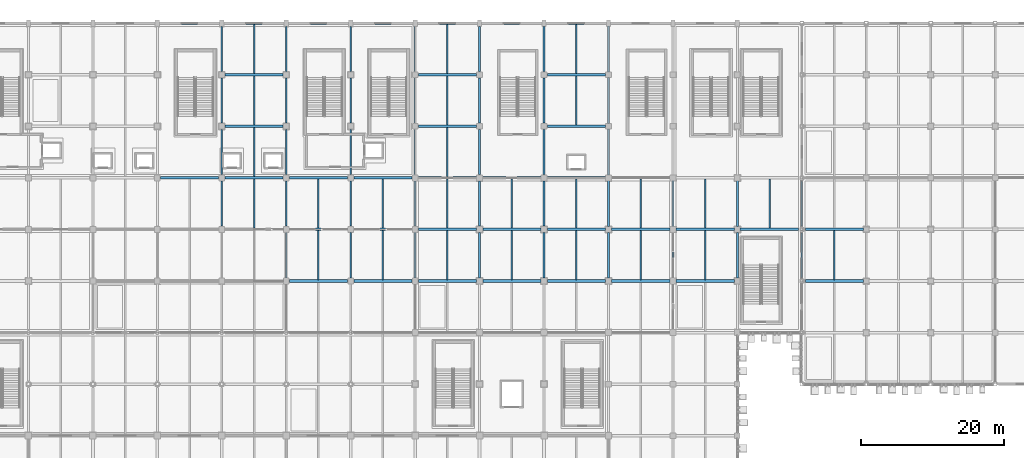
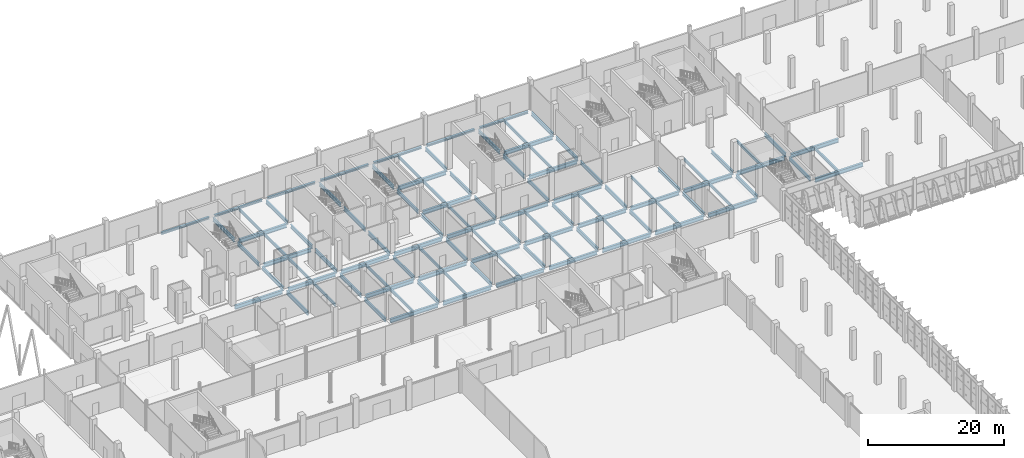
# One storey, part 69 of 137: 102 beams.
"""IFC4 building model written with IfcOpenShell, lengths in metres."""

from ifc_helpers import new_model, si_unit, direction, frame, origin, origin_2d, place, context, subcontext, project, spatial, i_section, extrude, material, material_profile, profile_set, type_object, element, save


model = new_model("IFC4")

# Units and contexts
model_context = context("Model", 3, precision=1e-05, world=origin(), true_north=direction((0.0, 1.0)))
body_context = subcontext(model_context, "Body", "Model", "MODEL_VIEW")
ifc_project = project(units=[si_unit("LENGTHUNIT", "METRE"), si_unit("AREAUNIT", "SQUARE_METRE"), si_unit("VOLUMEUNIT", "CUBIC_METRE"), si_unit("PLANEANGLEUNIT", "RADIAN"), si_unit("MASSUNIT", "GRAM", prefix="KILO")], contexts=[model_context])

# Site, building, storey
site_placement = place(None, origin())
site = spatial("IfcSite", under=ifc_project, at=site_placement, CompositionType="ELEMENT")
building_placement = place(site_placement, origin())
building = spatial("IfcBuilding", under=site, at=building_placement, Name="Celestram Park Convention Centre", CompositionType="ELEMENT")
storey_placement = place(building_placement, origin())
storey = spatial("IfcBuildingStorey", under=building, at=storey_placement, Name="L00", CompositionType="ELEMENT", Elevation=0.0)

# Beams
ifc_material = material(Name="Steel ASTM A992 Grade 50", Category="steel")
ifc_material_profile_1 = material_profile(ifc_material, i_section(OverallWidth=0.35595703125, OverallDepth=0.696044921875, WebThickness=0.015380859375, FlangeThickness=0.02490234375, at=origin_2d()), Name="W27X146")
ifc_profile_set_1 = profile_set([ifc_material_profile_1], Name="Steel ASTM A992 Grade 50")
beam_type_1 = type_object("IfcBeamType", Name="STR-BM-W27X146", PredefinedType="BEAM", material=ifc_profile_set_1)
for number, where, z_axis, x_axis, name in (
    (1, (63.447998046875, 144.0, -0.66796875), (1.0, 0.0, 0.0), (0.0, 1.0, 0.0), "Primary X-girder BG-L00-0309"),
    (2, (72.447998046875, 144.0, -0.66796875), (1.0, 0.0, 0.0), (0.0, 1.0, 0.0), "Primary X-girder BG-L00-0354"),
    (3, (72.447998046875, 151.199951171875, -0.66796875), (1.0, 0.0, 0.0), (0.0, 1.0, 0.0), "Primary X-girder BG-L00-0356"),
    (4, (72.447998046875, 158.39990234375, -0.66796875), (1.0, 0.0, 0.0), (0.0, 1.0, 0.0), "Primary X-girder BG-L00-0358"),
    (5, (81.447998046875, 129.60009765625, -0.66796875), (1.0, 0.0, 0.0), (0.0, 1.0, 0.0), "Primary X-girder BG-L00-0397"),
    (6, (81.447998046875, 136.800048828125, -0.66796875), (1.0, 0.0, 0.0), (0.0, 1.0, 0.0), "Primary X-girder BG-L00-0399"),
    (7, (81.447998046875, 144.0, -0.66796875), (1.0, 0.0, 0.0), (0.0, 1.0, 0.0), "Primary X-girder BG-L00-0401"),
    (8, (90.447998046875, 129.60009765625, -0.66796875), (1.0, 0.0, 0.0), (0.0, 1.0, 0.0), "Primary X-girder BG-L00-0442"),
    (9, (90.447998046875, 136.800048828125, -0.66796875), (1.0, 0.0, 0.0), (0.0, 1.0, 0.0), "Primary X-girder BG-L00-0444"),
    (10, (90.447998046875, 144.0, -0.66796875), (1.0, 0.0, 0.0), (0.0, 1.0, 0.0), "Primary X-girder BG-L00-0446"),
    (11, (99.447998046875, 129.60009765625, -0.66796875), (1.0, 0.0, 0.0), (0.0, 1.0, 0.0), "Primary X-girder BG-L00-0486"),
    (12, (99.447998046875, 136.800048828125, -0.66796875), (1.0, 0.0, 0.0), (0.0, 1.0, 0.0), "Primary X-girder BG-L00-0488"),
    (13, (99.447998046875, 144.0, -0.66796875), (1.0, 0.0, 0.0), (0.0, 1.0, 0.0), "Primary X-girder BG-L00-0490"),
    (14, (99.447998046875, 151.199951171875, -0.66796875), (1.0, 0.0, 0.0), (0.0, 1.0, 0.0), "Primary X-girder BG-L00-0492"),
    (15, (99.447998046875, 158.39990234375, -0.66796875), (1.0, 0.0, 0.0), (0.0, 1.0, 0.0), "Primary X-girder BG-L00-0494"),
    (16, (108.447998046875, 129.60009765625, -0.66796875), (1.0, 0.0, 0.0), (0.0, 1.0, 0.0), "Primary X-girder BG-L00-0531"),
    (17, (108.447998046875, 136.800048828125, -0.66796875), (1.0, 0.0, 0.0), (0.0, 1.0, 0.0), "Primary X-girder BG-L00-0533"),
    (18, (108.447998046875, 144.0, -0.66796875), (1.0, 0.0, 0.0), (0.0, 1.0, 0.0), "Primary X-girder BG-L00-0535"),
):
    element("IfcBeam", number, at=place(storey_placement, frame(where, z_axis=z_axis, x_axis=x_axis)), inside=storey, type_object=beam_type_1, Name=name, PredefinedType="BEAM", context=body_context, shape_type="SweptSolid", body=[
        extrude(i_section(OverallWidth=0.35595703125, OverallDepth=0.696044921875, WebThickness=0.015380859375, FlangeThickness=0.02490234375, at=origin_2d()), origin(), (0.0, 0.0, 1.0), 8.10400390625),
    ])
for number, where, z_axis, x_axis, name in (
    (19, (117.447998046875, 129.60009765625, -0.66796875), (1.0, 0.0, 0.0), (0.0, 1.0, 0.0), "Primary X-girder BG-L00-0572"),
    (20, (117.447998046875, 136.800048828125, -0.66796875), (1.0, 0.0, 0.0), (0.0, 1.0, 0.0), "Primary X-girder BG-L00-0574"),
    (21, (117.447998046875, 144.0, -0.66796875), (1.0, 0.0, 0.0), (0.0, 1.0, 0.0), "Primary X-girder BG-L00-0576"),
    (22, (117.447998046875, 151.199951171875, -0.66796875), (1.0, 0.0, 0.0), (0.0, 1.0, 0.0), "Primary X-girder BG-L00-0578"),
    (23, (117.447998046875, 158.39990234375, -0.66796875), (1.0, 0.0, 0.0), (0.0, 1.0, 0.0), "Primary X-girder BG-L00-0580"),
):
    element("IfcBeam", number, at=place(storey_placement, frame(where, z_axis=z_axis, x_axis=x_axis)), inside=storey, type_object=beam_type_1, Name=name, PredefinedType="BEAM", context=body_context, shape_type="SweptSolid", body=[
        extrude(i_section(OverallWidth=0.35595703125, OverallDepth=0.696044921875, WebThickness=0.015380859375, FlangeThickness=0.02490234375, at=origin_2d()), origin(), (0.0, 0.0, 1.0), 8.154052734375),
    ])
for number, where, z_axis, x_axis, name in (
    (24, (126.39794921875, 129.60009765625, -0.66796875), (1.0, 0.0, 0.0), (0.0, 1.0, 0.0), "Primary X-girder BG-L00-0612"),
    (25, (126.39794921875, 136.800048828125, -0.66796875), (1.0, 0.0, 0.0), (0.0, 1.0, 0.0), "Primary X-girder BG-L00-0614"),
    (26, (135.39794921875, 129.60009765625, -0.66796875), (1.0, 0.0, 0.0), (0.0, 1.0, 0.0), "Primary X-girder BG-L00-0651"),
    (27, (135.39794921875, 136.800048828125, -0.66796875), (1.0, 0.0, 0.0), (0.0, 1.0, 0.0), "Primary X-girder BG-L00-0653"),
):
    element("IfcBeam", number, at=place(storey_placement, frame(where, z_axis=z_axis, x_axis=x_axis)), inside=storey, type_object=beam_type_1, Name=name, PredefinedType="BEAM", context=body_context, shape_type="SweptSolid", body=[
        extrude(i_section(OverallWidth=0.35595703125, OverallDepth=0.696044921875, WebThickness=0.015380859375, FlangeThickness=0.02490234375, at=origin_2d()), origin(), (0.0, 0.0, 1.0), 8.2041015625),
    ])
for number, where, z_axis, x_axis, name in (
    (28, (144.39794921875, 136.800048828125, -0.66796875), (1.0, 0.0, 0.0), (0.0, 1.0, 0.0), "Primary X-girder BG-L00-0685"),
    (29, (153.498046875, 129.60009765625, -0.66796875), (1.0, 0.0, 0.0), (0.0, 1.0, 0.0), "Primary X-girder BG-L00-0706"),
    (30, (153.498046875, 136.800048828125, -0.66796875), (1.0, 0.0, 0.0), (0.0, 1.0, 0.0), "Primary X-girder BG-L00-0708"),
):
    element("IfcBeam", number, at=place(storey_placement, frame(where, z_axis=z_axis, x_axis=x_axis)), inside=storey, type_object=beam_type_1, Name=name, PredefinedType="BEAM", context=body_context, shape_type="SweptSolid", body=[
        extrude(i_section(OverallWidth=0.35595703125, OverallDepth=0.696044921875, WebThickness=0.015380859375, FlangeThickness=0.02490234375, at=origin_2d()), origin(), (0.0, 0.0, 1.0), 8.10400390625),
    ])
ifc_material_profile_2 = material_profile(ifc_material, i_section(OverallWidth=0.25390625, OverallDepth=0.68310546875, WebThickness=0.012451171875, FlangeThickness=0.01904296875, at=origin_2d()), Name="W27X94")
ifc_profile_set_2 = profile_set([ifc_material_profile_2], Name="Steel ASTM A992 Grade 50")
beam_type_2 = type_object("IfcBeamType", Name="STR-BM-W27X94", PredefinedType="BEAM", material=ifc_profile_set_2)
for number, where, z_axis, x_axis, name in (
    (31, (72.0, 137.248046875, -0.66162109375), (0.0, 1.0, 0.0), (-1.0, 0.0, 0.0), "Primary Y-girder BG-L00-0353"),
    (32, (72.0, 144.447998046875, -0.66162109375), (0.0, 1.0, 0.0), (-1.0, 0.0, 0.0), "Primary Y-girder BG-L00-0355"),
    (33, (72.0, 151.64794921875, -0.66162109375), (0.0, 1.0, 0.0), (-1.0, 0.0, 0.0), "Primary Y-girder BG-L00-0357"),
):
    element("IfcBeam", number, at=place(storey_placement, frame(where, z_axis=z_axis, x_axis=x_axis)), inside=storey, type_object=beam_type_2, Name=name, PredefinedType="BEAM", context=body_context, shape_type="SweptSolid", body=[
        extrude(i_section(OverallWidth=0.25390625, OverallDepth=0.68310546875, WebThickness=0.012451171875, FlangeThickness=0.01904296875, at=origin_2d()), origin(), (0.0, 0.0, 1.0), 6.303955078125),
    ])
beam_1_placement = place(storey_placement, frame((72.0, 158.847900390625, -0.66162109375), z_axis=(0.0, 1.0, 0.0), x_axis=(-1.0, 0.0, 0.0)))
element("IfcBeam", 34, at=beam_1_placement, inside=storey, type_object=beam_type_2, Name="Primary Y-girder BG-L00-0359", PredefinedType="BEAM", context=body_context, shape_type="SweptSolid", body=[
    extrude(i_section(OverallWidth=0.25390625, OverallDepth=0.68310546875, WebThickness=0.012451171875, FlangeThickness=0.01904296875, at=origin_2d()), origin(), (0.0, 0.0, 1.0), 6.30419921875),
])
for number, where, z_axis, x_axis, name in (
    (35, (81.0, 130.048095703125, -0.66162109375), (0.0, 1.0, 0.0), (-1.0, 0.0, 0.0), "Primary Y-girder BG-L00-0398"),
    (36, (81.0, 137.248046875, -0.66162109375), (0.0, 1.0, 0.0), (-1.0, 0.0, 0.0), "Primary Y-girder BG-L00-0400"),
    (37, (81.0, 144.447998046875, -0.66162109375), (0.0, 1.0, 0.0), (-1.0, 0.0, 0.0), "Primary Y-girder BG-L00-0402"),
    (38, (81.0, 151.64794921875, -0.66162109375), (0.0, 1.0, 0.0), (-1.0, 0.0, 0.0), "Primary Y-girder BG-L00-0403"),
):
    element("IfcBeam", number, at=place(storey_placement, frame(where, z_axis=z_axis, x_axis=x_axis)), inside=storey, type_object=beam_type_2, Name=name, PredefinedType="BEAM", context=body_context, shape_type="SweptSolid", body=[
        extrude(i_section(OverallWidth=0.25390625, OverallDepth=0.68310546875, WebThickness=0.012451171875, FlangeThickness=0.01904296875, at=origin_2d()), origin(), (0.0, 0.0, 1.0), 6.303955078125),
    ])
beam_2_placement = place(storey_placement, frame((81.0, 158.847900390625, -0.66162109375), z_axis=(0.0, 1.0, 0.0), x_axis=(-1.0, 0.0, 0.0)))
element("IfcBeam", 39, at=beam_2_placement, inside=storey, type_object=beam_type_2, Name="Primary Y-girder BG-L00-0404", PredefinedType="BEAM", context=body_context, shape_type="SweptSolid", body=[
    extrude(i_section(OverallWidth=0.25390625, OverallDepth=0.68310546875, WebThickness=0.012451171875, FlangeThickness=0.01904296875, at=origin_2d()), origin(), (0.0, 0.0, 1.0), 6.30419921875),
])
for number, where, z_axis, x_axis, name in (
    (40, (90.0, 130.048095703125, -0.66162109375), (0.0, 1.0, 0.0), (-1.0, 0.0, 0.0), "Primary Y-girder BG-L00-0443"),
    (41, (90.0, 137.248046875, -0.66162109375), (0.0, 1.0, 0.0), (-1.0, 0.0, 0.0), "Primary Y-girder BG-L00-0445"),
    (42, (90.0, 144.447998046875, -0.66162109375), (0.0, 1.0, 0.0), (-1.0, 0.0, 0.0), "Primary Y-girder BG-L00-0447"),
    (43, (90.0, 151.64794921875, -0.66162109375), (0.0, 1.0, 0.0), (-1.0, 0.0, 0.0), "Primary Y-girder BG-L00-0448"),
):
    element("IfcBeam", number, at=place(storey_placement, frame(where, z_axis=z_axis, x_axis=x_axis)), inside=storey, type_object=beam_type_2, Name=name, PredefinedType="BEAM", context=body_context, shape_type="SweptSolid", body=[
        extrude(i_section(OverallWidth=0.25390625, OverallDepth=0.68310546875, WebThickness=0.012451171875, FlangeThickness=0.01904296875, at=origin_2d()), origin(), (0.0, 0.0, 1.0), 6.303955078125),
    ])
beam_3_placement = place(storey_placement, frame((90.0, 158.847900390625, -0.66162109375), z_axis=(0.0, 1.0, 0.0), x_axis=(-1.0, 0.0, 0.0)))
element("IfcBeam", 44, at=beam_3_placement, inside=storey, type_object=beam_type_2, Name="Primary Y-girder BG-L00-0449", PredefinedType="BEAM", context=body_context, shape_type="SweptSolid", body=[
    extrude(i_section(OverallWidth=0.25390625, OverallDepth=0.68310546875, WebThickness=0.012451171875, FlangeThickness=0.01904296875, at=origin_2d()), origin(), (0.0, 0.0, 1.0), 6.30419921875),
])
for number, where, z_axis, x_axis, name in (
    (45, (99.0, 130.048095703125, -0.66162109375), (0.0, 1.0, 0.0), (-1.0, 0.0, 0.0), "Primary Y-girder BG-L00-0487"),
    (46, (99.0, 137.248046875, -0.66162109375), (0.0, 1.0, 0.0), (-1.0, 0.0, 0.0), "Primary Y-girder BG-L00-0489"),
    (47, (99.0, 144.447998046875, -0.66162109375), (0.0, 1.0, 0.0), (-1.0, 0.0, 0.0), "Primary Y-girder BG-L00-0491"),
    (48, (99.0, 151.64794921875, -0.66162109375), (0.0, 1.0, 0.0), (-1.0, 0.0, 0.0), "Primary Y-girder BG-L00-0493"),
):
    element("IfcBeam", number, at=place(storey_placement, frame(where, z_axis=z_axis, x_axis=x_axis)), inside=storey, type_object=beam_type_2, Name=name, PredefinedType="BEAM", context=body_context, shape_type="SweptSolid", body=[
        extrude(i_section(OverallWidth=0.25390625, OverallDepth=0.68310546875, WebThickness=0.012451171875, FlangeThickness=0.01904296875, at=origin_2d()), origin(), (0.0, 0.0, 1.0), 6.303955078125),
    ])
beam_4_placement = place(storey_placement, frame((99.0, 158.847900390625, -0.66162109375), z_axis=(0.0, 1.0, 0.0), x_axis=(-1.0, 0.0, 0.0)))
element("IfcBeam", 49, at=beam_4_placement, inside=storey, type_object=beam_type_2, Name="Primary Y-girder BG-L00-0495", PredefinedType="BEAM", context=body_context, shape_type="SweptSolid", body=[
    extrude(i_section(OverallWidth=0.25390625, OverallDepth=0.68310546875, WebThickness=0.012451171875, FlangeThickness=0.01904296875, at=origin_2d()), origin(), (0.0, 0.0, 1.0), 6.30419921875),
])
for number, where, z_axis, x_axis, name in (
    (50, (108.0, 130.048095703125, -0.66162109375), (0.0, 1.0, 0.0), (-1.0, 0.0, 0.0), "Primary Y-girder BG-L00-0532"),
    (51, (108.0, 137.248046875, -0.66162109375), (0.0, 1.0, 0.0), (-1.0, 0.0, 0.0), "Primary Y-girder BG-L00-0534"),
    (52, (108.0, 144.447998046875, -0.66162109375), (0.0, 1.0, 0.0), (-1.0, 0.0, 0.0), "Primary Y-girder BG-L00-0536"),
    (53, (108.0, 151.64794921875, -0.66162109375), (0.0, 1.0, 0.0), (-1.0, 0.0, 0.0), "Primary Y-girder BG-L00-0537"),
):
    element("IfcBeam", number, at=place(storey_placement, frame(where, z_axis=z_axis, x_axis=x_axis)), inside=storey, type_object=beam_type_2, Name=name, PredefinedType="BEAM", context=body_context, shape_type="SweptSolid", body=[
        extrude(i_section(OverallWidth=0.25390625, OverallDepth=0.68310546875, WebThickness=0.012451171875, FlangeThickness=0.01904296875, at=origin_2d()), origin(), (0.0, 0.0, 1.0), 6.303955078125),
    ])
beam_5_placement = place(storey_placement, frame((108.0, 158.847900390625, -0.66162109375), z_axis=(0.0, 1.0, 0.0), x_axis=(-1.0, 0.0, 0.0)))
element("IfcBeam", 54, at=beam_5_placement, inside=storey, type_object=beam_type_2, Name="Primary Y-girder BG-L00-0538", PredefinedType="BEAM", context=body_context, shape_type="SweptSolid", body=[
    extrude(i_section(OverallWidth=0.25390625, OverallDepth=0.68310546875, WebThickness=0.012451171875, FlangeThickness=0.01904296875, at=origin_2d()), origin(), (0.0, 0.0, 1.0), 6.30419921875),
])
for number, where, z_axis, x_axis, name in (
    (55, (117.0, 130.048095703125, -0.66162109375), (0.0, 1.0, 0.0), (-1.0, 0.0, 0.0), "Primary Y-girder BG-L00-0573"),
    (56, (117.0, 137.248046875, -0.66162109375), (0.0, 1.0, 0.0), (-1.0, 0.0, 0.0), "Primary Y-girder BG-L00-0575"),
    (57, (117.0, 144.447998046875, -0.66162109375), (0.0, 1.0, 0.0), (-1.0, 0.0, 0.0), "Primary Y-girder BG-L00-0577"),
    (58, (117.0, 151.64794921875, -0.66162109375), (0.0, 1.0, 0.0), (-1.0, 0.0, 0.0), "Primary Y-girder BG-L00-0579"),
):
    element("IfcBeam", number, at=place(storey_placement, frame(where, z_axis=z_axis, x_axis=x_axis)), inside=storey, type_object=beam_type_2, Name=name, PredefinedType="BEAM", context=body_context, shape_type="SweptSolid", body=[
        extrude(i_section(OverallWidth=0.25390625, OverallDepth=0.68310546875, WebThickness=0.012451171875, FlangeThickness=0.01904296875, at=origin_2d()), origin(), (0.0, 0.0, 1.0), 6.303955078125),
    ])
beam_6_placement = place(storey_placement, frame((117.0, 158.847900390625, -0.66162109375), z_axis=(0.0, 1.0, 0.0), x_axis=(-1.0, 0.0, 0.0)))
element("IfcBeam", 59, at=beam_6_placement, inside=storey, type_object=beam_type_2, Name="Primary Y-girder BG-L00-0581", PredefinedType="BEAM", context=body_context, shape_type="SweptSolid", body=[
    extrude(i_section(OverallWidth=0.25390625, OverallDepth=0.68310546875, WebThickness=0.012451171875, FlangeThickness=0.01904296875, at=origin_2d()), origin(), (0.0, 0.0, 1.0), 6.30419921875),
])
for number, where, z_axis, x_axis, name in (
    (60, (126.0, 129.998046875, -0.66162109375), (0.0, 1.0, 0.0), (-1.0, 0.0, 0.0), "Primary Y-girder BG-L00-0613"),
    (61, (126.0, 137.197998046875, -0.66162109375), (0.0, 1.0, 0.0), (-1.0, 0.0, 0.0), "Primary Y-girder BG-L00-0615"),
    (62, (126.0, 144.39794921875, -0.66162109375), (0.0, 1.0, 0.0), (-1.0, 0.0, 0.0), "Primary Y-girder BG-L00-0617"),
    (63, (126.0, 151.597900390625, -0.66162109375), (0.0, 1.0, 0.0), (-1.0, 0.0, 0.0), "Primary Y-girder BG-L00-0618"),
):
    element("IfcBeam", number, at=place(storey_placement, frame(where, z_axis=z_axis, x_axis=x_axis)), inside=storey, type_object=beam_type_2, Name=name, PredefinedType="BEAM", context=body_context, shape_type="SweptSolid", body=[
        extrude(i_section(OverallWidth=0.25390625, OverallDepth=0.68310546875, WebThickness=0.012451171875, FlangeThickness=0.01904296875, at=origin_2d()), origin(), (0.0, 0.0, 1.0), 6.404052734375),
    ])
beam_7_placement = place(storey_placement, frame((126.0, 158.798095703125, -0.66162109375), z_axis=(0.0, 1.0, 0.0), x_axis=(-1.0, 0.0, 0.0)))
element("IfcBeam", 64, at=beam_7_placement, inside=storey, type_object=beam_type_2, Name="Primary Y-girder BG-L00-0619", PredefinedType="BEAM", context=body_context, shape_type="SweptSolid", body=[
    extrude(i_section(OverallWidth=0.25390625, OverallDepth=0.68310546875, WebThickness=0.012451171875, FlangeThickness=0.01904296875, at=origin_2d()), origin(), (0.0, 0.0, 1.0), 6.40380859375),
])
for number, where, z_axis, x_axis, name in (
    (65, (135.0, 129.998046875, -0.66162109375), (0.0, 1.0, 0.0), (-1.0, 0.0, 0.0), "Primary Y-girder BG-L00-0652"),
    (66, (135.0, 137.197998046875, -0.66162109375), (0.0, 1.0, 0.0), (-1.0, 0.0, 0.0), "Primary Y-girder BG-L00-0654"),
    (67, (144.0, 129.998046875, -0.66162109375), (0.0, 1.0, 0.0), (-1.0, 0.0, 0.0), "Primary Y-girder BG-L00-0684"),
    (68, (144.0, 137.197998046875, -0.66162109375), (0.0, 1.0, 0.0), (-1.0, 0.0, 0.0), "Primary Y-girder BG-L00-0686"),
):
    element("IfcBeam", number, at=place(storey_placement, frame(where, z_axis=z_axis, x_axis=x_axis)), inside=storey, type_object=beam_type_2, Name=name, PredefinedType="BEAM", context=body_context, shape_type="SweptSolid", body=[
        extrude(i_section(OverallWidth=0.25390625, OverallDepth=0.68310546875, WebThickness=0.012451171875, FlangeThickness=0.01904296875, at=origin_2d()), origin(), (0.0, 0.0, 1.0), 6.404052734375),
    ])
beam_8_placement = place(storey_placement, frame((153.0, 130.097900390625, -0.66162109375), z_axis=(0.0, 1.0, 0.0), x_axis=(-1.0, 0.0, 0.0)))
element("IfcBeam", 69, at=beam_8_placement, inside=storey, type_object=beam_type_2, Name="Primary Y-girder BG-L00-0707", PredefinedType="BEAM", context=body_context, shape_type="SweptSolid", body=[
    extrude(i_section(OverallWidth=0.25390625, OverallDepth=0.68310546875, WebThickness=0.012451171875, FlangeThickness=0.01904296875, at=origin_2d()), origin(), (0.0, 0.0, 1.0), 6.2041015625),
])
beam_9_placement = place(storey_placement, frame((153.0, 137.298095703125, -0.66162109375), z_axis=(0.0, 1.0, 0.0), x_axis=(-1.0, 0.0, 0.0)))
element("IfcBeam", 70, at=beam_9_placement, inside=storey, type_object=beam_type_2, Name="Primary Y-girder BG-L00-0709", PredefinedType="BEAM", context=body_context, shape_type="SweptSolid", body=[
    extrude(i_section(OverallWidth=0.25390625, OverallDepth=0.68310546875, WebThickness=0.012451171875, FlangeThickness=0.01904296875, at=origin_2d()), origin(), (0.0, 0.0, 1.0), 6.203857421875),
])
ifc_material_profile_3 = material_profile(ifc_material, i_section(OverallWidth=0.2099609375, OverallDepth=0.532958984375, WebThickness=0.01025390625, FlangeThickness=0.015625, at=origin_2d()), Name="W21X62")
ifc_profile_set_3 = profile_set([ifc_material_profile_3], Name="Steel ASTM A992 Grade 50")
beam_type_3 = type_object("IfcBeamType", Name="STR-JST-W21X62", PredefinedType="JOIST", material=ifc_profile_set_3)
for number, where, z_axis, x_axis, name in (
    (71, (76.5, 136.97412109375, -0.58642578125), (0.0, 1.0, 0.0), (-1.0, 0.0, 0.0), "Secondary composite joist BG-L00-1042"),
    (72, (76.5, 144.174072265625, -0.58642578125), (0.0, 1.0, 0.0), (-1.0, 0.0, 0.0), "Secondary composite joist BG-L00-1043"),
):
    element("IfcBeam", number, at=place(storey_placement, frame(where, z_axis=z_axis, x_axis=x_axis)), inside=storey, type_object=beam_type_3, Name=name, PredefinedType="JOIST", context=body_context, shape_type="SweptSolid", body=[
        extrude(i_section(OverallWidth=0.2099609375, OverallDepth=0.532958984375, WebThickness=0.01025390625, FlangeThickness=0.015625, at=origin_2d()), origin(), (0.0, 0.0, 1.0), 6.851806640625),
    ])
beam_10_placement = place(storey_placement, frame((76.5, 151.3740234375, -0.58642578125), z_axis=(0.0, 1.0, 0.0), x_axis=(-1.0, 0.0, 0.0)))
element("IfcBeam", 73, at=beam_10_placement, inside=storey, type_object=beam_type_3, Name="Secondary composite joist BG-L00-1044", PredefinedType="JOIST", context=body_context, shape_type="SweptSolid", body=[
    extrude(i_section(OverallWidth=0.2099609375, OverallDepth=0.532958984375, WebThickness=0.01025390625, FlangeThickness=0.015625, at=origin_2d()), origin(), (0.0, 0.0, 1.0), 6.85205078125),
])
beam_11_placement = place(storey_placement, frame((76.5, 158.573974609375, -0.58642578125), z_axis=(0.0, 1.0, 0.0), x_axis=(-1.0, 0.0, 0.0)))
element("IfcBeam", 74, at=beam_11_placement, inside=storey, type_object=beam_type_3, Name="Secondary composite joist BG-L00-1045", PredefinedType="JOIST", context=body_context, shape_type="SweptSolid", body=[
    extrude(i_section(OverallWidth=0.2099609375, OverallDepth=0.532958984375, WebThickness=0.01025390625, FlangeThickness=0.015625, at=origin_2d()), origin(), (0.0, 0.0, 1.0), 6.843994140625),
])
beam_12_placement = place(storey_placement, frame((85.5, 129.77392578125, -0.58642578125), z_axis=(0.0, 1.0, 0.0), x_axis=(-1.0, 0.0, 0.0)))
element("IfcBeam", 75, at=beam_12_placement, inside=storey, type_object=beam_type_3, Name="Secondary composite joist BG-L00-1064", PredefinedType="JOIST", context=body_context, shape_type="SweptSolid", body=[
    extrude(i_section(OverallWidth=0.2099609375, OverallDepth=0.532958984375, WebThickness=0.01025390625, FlangeThickness=0.015625, at=origin_2d()), origin(), (0.0, 0.0, 1.0), 6.85205078125),
])
beam_13_placement = place(storey_placement, frame((85.5, 136.97412109375, -0.58642578125), z_axis=(0.0, 1.0, 0.0), x_axis=(-1.0, 0.0, 0.0)))
element("IfcBeam", 76, at=beam_13_placement, inside=storey, type_object=beam_type_3, Name="Secondary composite joist BG-L00-1065", PredefinedType="JOIST", context=body_context, shape_type="SweptSolid", body=[
    extrude(i_section(OverallWidth=0.2099609375, OverallDepth=0.532958984375, WebThickness=0.01025390625, FlangeThickness=0.015625, at=origin_2d()), origin(), (0.0, 0.0, 1.0), 6.851806640625),
])
beam_14_placement = place(storey_placement, frame((94.5, 129.77392578125, -0.58642578125), z_axis=(0.0, 1.0, 0.0), x_axis=(-1.0, 0.0, 0.0)))
element("IfcBeam", 77, at=beam_14_placement, inside=storey, type_object=beam_type_3, Name="Secondary composite joist BG-L00-1084", PredefinedType="JOIST", context=body_context, shape_type="SweptSolid", body=[
    extrude(i_section(OverallWidth=0.2099609375, OverallDepth=0.532958984375, WebThickness=0.01025390625, FlangeThickness=0.015625, at=origin_2d()), origin(), (0.0, 0.0, 1.0), 6.85205078125),
])
beam_15_placement = place(storey_placement, frame((94.5, 136.97412109375, -0.58642578125), z_axis=(0.0, 1.0, 0.0), x_axis=(-1.0, 0.0, 0.0)))
element("IfcBeam", 78, at=beam_15_placement, inside=storey, type_object=beam_type_3, Name="Secondary composite joist BG-L00-1085", PredefinedType="JOIST", context=body_context, shape_type="SweptSolid", body=[
    extrude(i_section(OverallWidth=0.2099609375, OverallDepth=0.532958984375, WebThickness=0.01025390625, FlangeThickness=0.015625, at=origin_2d()), origin(), (0.0, 0.0, 1.0), 6.851806640625),
])
beam_16_placement = place(storey_placement, frame((103.5, 129.77392578125, -0.58642578125), z_axis=(0.0, 1.0, 0.0), x_axis=(-1.0, 0.0, 0.0)))
element("IfcBeam", 79, at=beam_16_placement, inside=storey, type_object=beam_type_3, Name="Secondary composite joist BG-L00-1102", PredefinedType="JOIST", context=body_context, shape_type="SweptSolid", body=[
    extrude(i_section(OverallWidth=0.2099609375, OverallDepth=0.532958984375, WebThickness=0.01025390625, FlangeThickness=0.015625, at=origin_2d()), origin(), (0.0, 0.0, 1.0), 6.85205078125),
])
for number, where, z_axis, x_axis, name in (
    (80, (103.5, 136.97412109375, -0.58642578125), (0.0, 1.0, 0.0), (-1.0, 0.0, 0.0), "Secondary composite joist BG-L00-1103"),
    (81, (103.5, 144.174072265625, -0.58642578125), (0.0, 1.0, 0.0), (-1.0, 0.0, 0.0), "Secondary composite joist BG-L00-1104"),
):
    element("IfcBeam", number, at=place(storey_placement, frame(where, z_axis=z_axis, x_axis=x_axis)), inside=storey, type_object=beam_type_3, Name=name, PredefinedType="JOIST", context=body_context, shape_type="SweptSolid", body=[
        extrude(i_section(OverallWidth=0.2099609375, OverallDepth=0.532958984375, WebThickness=0.01025390625, FlangeThickness=0.015625, at=origin_2d()), origin(), (0.0, 0.0, 1.0), 6.851806640625),
    ])
beam_17_placement = place(storey_placement, frame((103.5, 151.3740234375, -0.58642578125), z_axis=(0.0, 1.0, 0.0), x_axis=(-1.0, 0.0, 0.0)))
element("IfcBeam", 82, at=beam_17_placement, inside=storey, type_object=beam_type_3, Name="Secondary composite joist BG-L00-1105", PredefinedType="JOIST", context=body_context, shape_type="SweptSolid", body=[
    extrude(i_section(OverallWidth=0.2099609375, OverallDepth=0.532958984375, WebThickness=0.01025390625, FlangeThickness=0.015625, at=origin_2d()), origin(), (0.0, 0.0, 1.0), 6.85205078125),
])
beam_18_placement = place(storey_placement, frame((103.5, 158.573974609375, -0.58642578125), z_axis=(0.0, 1.0, 0.0), x_axis=(-1.0, 0.0, 0.0)))
element("IfcBeam", 83, at=beam_18_placement, inside=storey, type_object=beam_type_3, Name="Secondary composite joist BG-L00-1106", PredefinedType="JOIST", context=body_context, shape_type="SweptSolid", body=[
    extrude(i_section(OverallWidth=0.2099609375, OverallDepth=0.532958984375, WebThickness=0.01025390625, FlangeThickness=0.015625, at=origin_2d()), origin(), (0.0, 0.0, 1.0), 6.843994140625),
])
beam_19_placement = place(storey_placement, frame((112.5, 129.77392578125, -0.58642578125), z_axis=(0.0, 1.0, 0.0), x_axis=(-1.0, 0.0, 0.0)))
element("IfcBeam", 84, at=beam_19_placement, inside=storey, type_object=beam_type_3, Name="Secondary composite joist BG-L00-1121", PredefinedType="JOIST", context=body_context, shape_type="SweptSolid", body=[
    extrude(i_section(OverallWidth=0.2099609375, OverallDepth=0.532958984375, WebThickness=0.01025390625, FlangeThickness=0.015625, at=origin_2d()), origin(), (0.0, 0.0, 1.0), 6.85205078125),
])
beam_20_placement = place(storey_placement, frame((112.5, 136.97412109375, -0.58642578125), z_axis=(0.0, 1.0, 0.0), x_axis=(-1.0, 0.0, 0.0)))
element("IfcBeam", 85, at=beam_20_placement, inside=storey, type_object=beam_type_3, Name="Secondary composite joist BG-L00-1122", PredefinedType="JOIST", context=body_context, shape_type="SweptSolid", body=[
    extrude(i_section(OverallWidth=0.2099609375, OverallDepth=0.532958984375, WebThickness=0.01025390625, FlangeThickness=0.015625, at=origin_2d()), origin(), (0.0, 0.0, 1.0), 6.851806640625),
])
beam_21_placement = place(storey_placement, frame((121.5, 129.77392578125, -0.58642578125), z_axis=(0.0, 1.0, 0.0), x_axis=(-1.0, 0.0, 0.0)))
element("IfcBeam", 86, at=beam_21_placement, inside=storey, type_object=beam_type_3, Name="Secondary composite joist BG-L00-1136", PredefinedType="JOIST", context=body_context, shape_type="SweptSolid", body=[
    extrude(i_section(OverallWidth=0.2099609375, OverallDepth=0.532958984375, WebThickness=0.01025390625, FlangeThickness=0.015625, at=origin_2d()), origin(), (0.0, 0.0, 1.0), 6.85205078125),
])
beam_22_placement = place(storey_placement, frame((121.5, 136.97412109375, -0.58642578125), z_axis=(0.0, 1.0, 0.0), x_axis=(-1.0, 0.0, 0.0)))
element("IfcBeam", 87, at=beam_22_placement, inside=storey, type_object=beam_type_3, Name="Secondary composite joist BG-L00-1137", PredefinedType="JOIST", context=body_context, shape_type="SweptSolid", body=[
    extrude(i_section(OverallWidth=0.2099609375, OverallDepth=0.532958984375, WebThickness=0.01025390625, FlangeThickness=0.015625, at=origin_2d()), origin(), (0.0, 0.0, 1.0), 6.851806640625),
])
beam_23_placement = place(storey_placement, frame((121.5, 151.3740234375, -0.58642578125), z_axis=(0.0, 1.0, 0.0), x_axis=(-1.0, 0.0, 0.0)))
element("IfcBeam", 88, at=beam_23_placement, inside=storey, type_object=beam_type_3, Name="Secondary composite joist BG-L00-1138", PredefinedType="JOIST", context=body_context, shape_type="SweptSolid", body=[
    extrude(i_section(OverallWidth=0.2099609375, OverallDepth=0.532958984375, WebThickness=0.01025390625, FlangeThickness=0.015625, at=origin_2d()), origin(), (0.0, 0.0, 1.0), 6.85205078125),
])
beam_24_placement = place(storey_placement, frame((121.5, 158.573974609375, -0.58642578125), z_axis=(0.0, 1.0, 0.0), x_axis=(-1.0, 0.0, 0.0)))
element("IfcBeam", 89, at=beam_24_placement, inside=storey, type_object=beam_type_3, Name="Secondary composite joist BG-L00-1139", PredefinedType="JOIST", context=body_context, shape_type="SweptSolid", body=[
    extrude(i_section(OverallWidth=0.2099609375, OverallDepth=0.532958984375, WebThickness=0.01025390625, FlangeThickness=0.015625, at=origin_2d()), origin(), (0.0, 0.0, 1.0), 6.843994140625),
])
beam_25_placement = place(storey_placement, frame((130.5, 129.77392578125, -0.58642578125), z_axis=(0.0, 1.0, 0.0), x_axis=(-1.0, 0.0, 0.0)))
element("IfcBeam", 90, at=beam_25_placement, inside=storey, type_object=beam_type_3, Name="Secondary composite joist BG-L00-1153", PredefinedType="JOIST", context=body_context, shape_type="SweptSolid", body=[
    extrude(i_section(OverallWidth=0.2099609375, OverallDepth=0.532958984375, WebThickness=0.01025390625, FlangeThickness=0.015625, at=origin_2d()), origin(), (0.0, 0.0, 1.0), 6.85205078125),
])
beam_26_placement = place(storey_placement, frame((130.5, 136.97412109375, -0.58642578125), z_axis=(0.0, 1.0, 0.0), x_axis=(-1.0, 0.0, 0.0)))
element("IfcBeam", 91, at=beam_26_placement, inside=storey, type_object=beam_type_3, Name="Secondary composite joist BG-L00-1154", PredefinedType="JOIST", context=body_context, shape_type="SweptSolid", body=[
    extrude(i_section(OverallWidth=0.2099609375, OverallDepth=0.532958984375, WebThickness=0.01025390625, FlangeThickness=0.015625, at=origin_2d()), origin(), (0.0, 0.0, 1.0), 6.851806640625),
])
beam_27_placement = place(storey_placement, frame((139.5, 129.77392578125, -0.58642578125), z_axis=(0.0, 1.0, 0.0), x_axis=(-1.0, 0.0, 0.0)))
element("IfcBeam", 92, at=beam_27_placement, inside=storey, type_object=beam_type_3, Name="Secondary composite joist BG-L00-1169", PredefinedType="JOIST", context=body_context, shape_type="SweptSolid", body=[
    extrude(i_section(OverallWidth=0.2099609375, OverallDepth=0.532958984375, WebThickness=0.01025390625, FlangeThickness=0.015625, at=origin_2d()), origin(), (0.0, 0.0, 1.0), 6.85205078125),
])
for number, where, z_axis, x_axis, name in (
    (93, (139.5, 136.97412109375, -0.58642578125), (0.0, 1.0, 0.0), (-1.0, 0.0, 0.0), "Secondary composite joist BG-L00-1170"),
    (94, (148.5, 136.97412109375, -0.58642578125), (0.0, 1.0, 0.0), (-1.0, 0.0, 0.0), "Secondary composite joist BG-L00-1174"),
):
    element("IfcBeam", number, at=place(storey_placement, frame(where, z_axis=z_axis, x_axis=x_axis)), inside=storey, type_object=beam_type_3, Name=name, PredefinedType="JOIST", context=body_context, shape_type="SweptSolid", body=[
        extrude(i_section(OverallWidth=0.2099609375, OverallDepth=0.532958984375, WebThickness=0.01025390625, FlangeThickness=0.015625, at=origin_2d()), origin(), (0.0, 0.0, 1.0), 6.851806640625),
    ])
beam_28_placement = place(storey_placement, frame((157.5, 129.77392578125, -0.58642578125), z_axis=(0.0, 1.0, 0.0), x_axis=(-1.0, 0.0, 0.0)))
element("IfcBeam", 95, at=beam_28_placement, inside=storey, type_object=beam_type_3, Name="Secondary composite joist BG-L00-1179", PredefinedType="JOIST", context=body_context, shape_type="SweptSolid", body=[
    extrude(i_section(OverallWidth=0.2099609375, OverallDepth=0.532958984375, WebThickness=0.01025390625, FlangeThickness=0.015625, at=origin_2d()), origin(), (0.0, 0.0, 1.0), 6.85205078125),
])
ifc_material_profile_4 = material_profile(ifc_material, i_section(OverallWidth=0.373046875, OverallDepth=0.373046875, WebThickness=0.016357421875, FlangeThickness=0.026123046875, at=origin_2d()), Name="W14X132")
ifc_profile_set_4 = profile_set([ifc_material_profile_4], Name="Steel ASTM A992 Grade 50")
beam_type_4 = type_object("IfcBeamType", Name="STR-SPN-W14X132", PredefinedType="SPANDREL", material=ifc_profile_set_4)
for number, where, z_axis, x_axis, name in (
    (96, (63.447998046875, 165.60009765625, -0.506591796875), (1.0, 0.0, 0.0), (0.0, 1.0, 0.0), "Primary X-girder BG-L00-0313"),
    (97, (72.447998046875, 165.60009765625, -0.506591796875), (1.0, 0.0, 0.0), (0.0, 1.0, 0.0), "Primary X-girder BG-L00-0360"),
    (98, (81.447998046875, 165.60009765625, -0.506591796875), (1.0, 0.0, 0.0), (0.0, 1.0, 0.0), "Primary X-girder BG-L00-0405"),
    (99, (90.447998046875, 165.60009765625, -0.506591796875), (1.0, 0.0, 0.0), (0.0, 1.0, 0.0), "Primary X-girder BG-L00-0450"),
    (100, (99.447998046875, 165.60009765625, -0.506591796875), (1.0, 0.0, 0.0), (0.0, 1.0, 0.0), "Primary X-girder BG-L00-0496"),
    (101, (108.447998046875, 165.60009765625, -0.506591796875), (1.0, 0.0, 0.0), (0.0, 1.0, 0.0), "Primary X-girder BG-L00-0539"),
):
    element("IfcBeam", number, at=place(storey_placement, frame(where, z_axis=z_axis, x_axis=x_axis)), inside=storey, type_object=beam_type_4, Name=name, PredefinedType="SPANDREL", context=body_context, shape_type="SweptSolid", body=[
        extrude(i_section(OverallWidth=0.373046875, OverallDepth=0.373046875, WebThickness=0.016357421875, FlangeThickness=0.026123046875, at=origin_2d()), origin(), (0.0, 0.0, 1.0), 8.10400390625),
    ])
beam_29_placement = place(storey_placement, frame((117.447998046875, 165.60009765625, -0.506591796875), z_axis=(1.0, 0.0, 0.0), x_axis=(0.0, 1.0, 0.0)))
element("IfcBeam", 102, at=beam_29_placement, inside=storey, type_object=beam_type_4, Name="Primary X-girder BG-L00-0582", PredefinedType="SPANDREL", context=body_context, shape_type="SweptSolid", body=[
    extrude(i_section(OverallWidth=0.373046875, OverallDepth=0.373046875, WebThickness=0.016357421875, FlangeThickness=0.026123046875, at=origin_2d()), origin(), (0.0, 0.0, 1.0), 8.154052734375),
])

save(model, "model.ifc")
